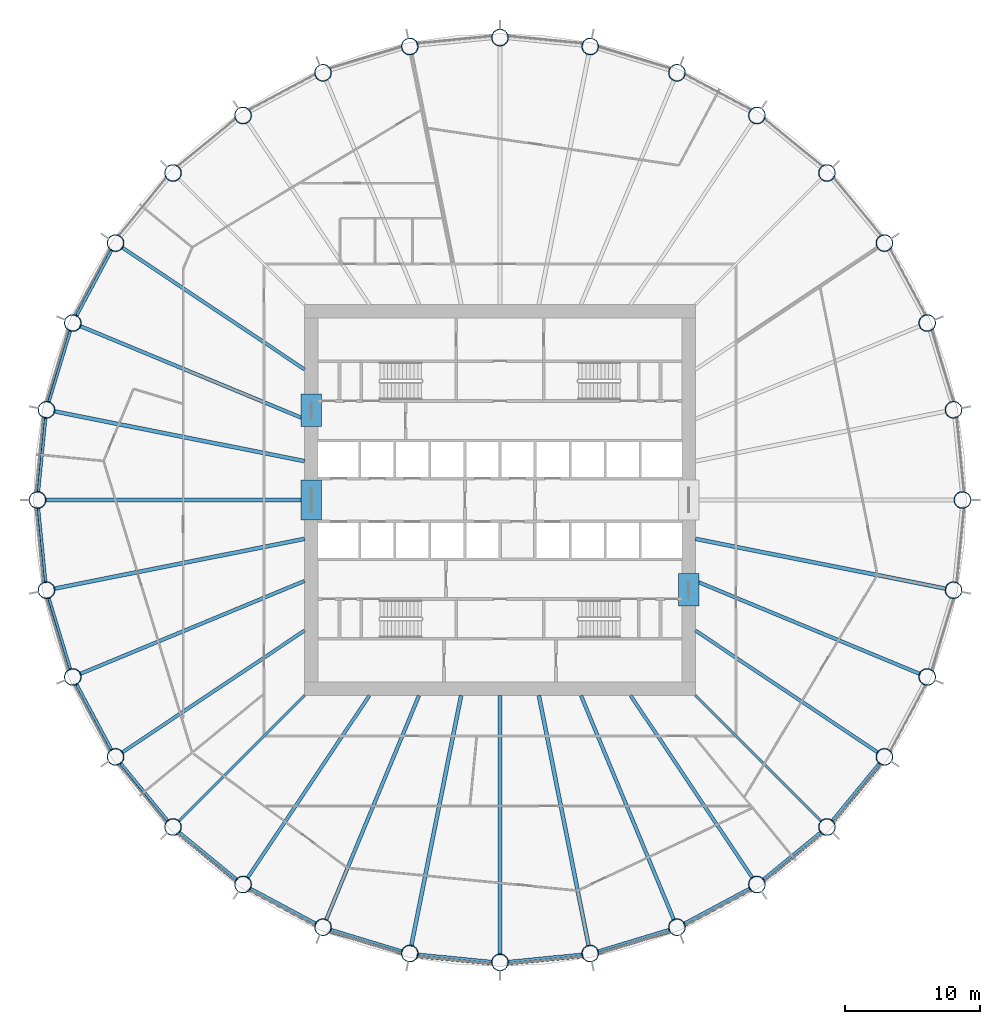
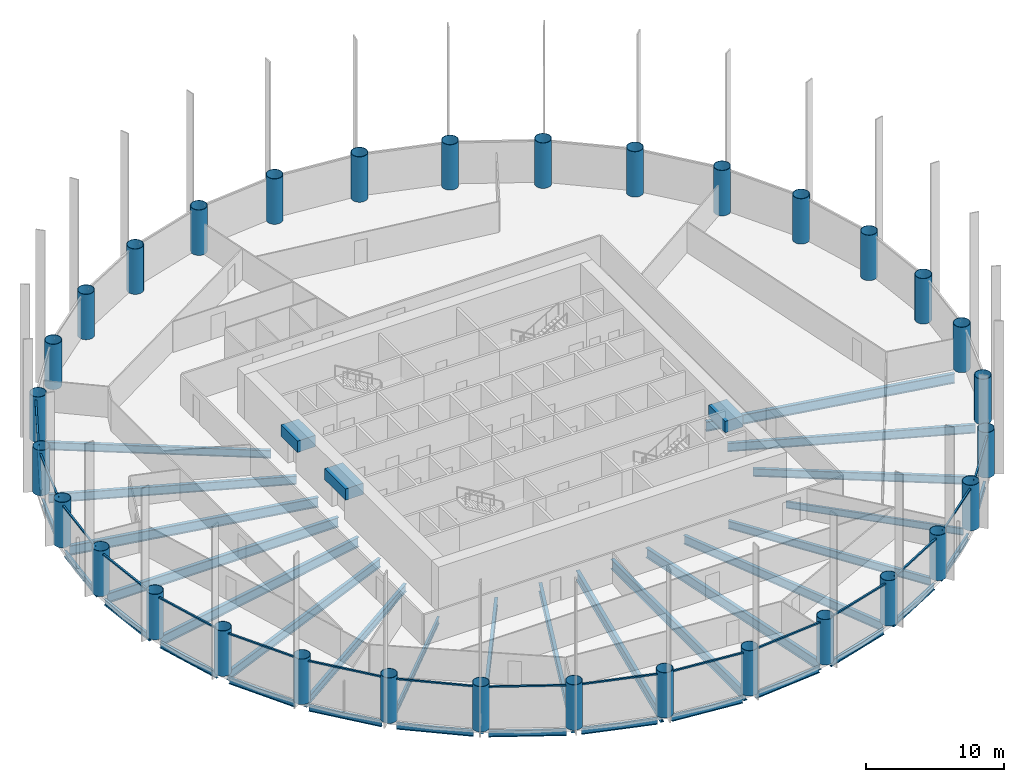
# One storey, part 1 of 10: 38 beams, 32 columns, 16 members, 16 elements without a shape of their own.
"""IFC4 building model written with IfcOpenShell, lengths in metres."""

from ifc_helpers import new_model, si_unit, direction, frame, origin, origin_2d, place, context, subcontext, project, spatial, rectangle, hollow_circle, i_section, extrude, material, material_profile, profile_set, type_object, element, aggregate, save


model = new_model("IFC4")

# Units and contexts
model_context = context("Model", 3, precision=1e-05, world=origin(), true_north=direction((0.0, 1.0)))
body_context = subcontext(model_context, "Body", "Model", "MODEL_VIEW")
ifc_project = project(units=[si_unit("LENGTHUNIT", "METRE"), si_unit("AREAUNIT", "SQUARE_METRE"), si_unit("VOLUMEUNIT", "CUBIC_METRE"), si_unit("PLANEANGLEUNIT", "RADIAN"), si_unit("MASSUNIT", "GRAM", prefix="KILO")], contexts=[model_context])

# Site, building, storey
site_placement = place(None, origin())
site = spatial("IfcSite", under=ifc_project, at=site_placement, CompositionType="ELEMENT")
building_placement = place(site_placement, origin())
building = spatial("IfcBuilding", under=site, at=building_placement, Name="Corvane Civic Tower", CompositionType="ELEMENT")
storey_placement = place(building_placement, frame((0.0, 0.0, 130.5)))
storey = spatial("IfcBuildingStorey", under=building, at=storey_placement, Name="L30", CompositionType="ELEMENT", Elevation=130.5)

# Columns
ifc_material_1 = material(Name="Steel ASTM A572 Gr 50", Category="steel")
ifc_material_profile_1 = material_profile(ifc_material_1, hollow_circle(Radius=0.625, WallThickness=0.035888671875, at=origin_2d()), Name="CHS1250X36")
ifc_profile_set_1 = profile_set([ifc_material_profile_1], Name="Steel ASTM A572 Gr 50")
column_type = type_object("IfcColumnType", Name="COMPOSITE COLUMN CHS1250X36", PredefinedType="COLUMN", material=ifc_profile_set_1)
for number, where, z_axis, x_axis, name in (
    (1, (0.0, 34.300048828125, 0.0), (0.0, 0.0, 1.0), (1.0, 0.0, 0.0), "COL-L30-B01"),
    (2, (6.691650390625, 33.640869140625, 0.0), (0.0, 0.0, 1.0), (1.0, 0.0, 0.0), "COL-L30-B02"),
    (3, (13.1259765625, 31.68896484375, 0.0), (0.0, 0.0, 1.0), (1.0, 0.0, 0.0), "COL-L30-B03"),
    (4, (19.05615234375, 28.519287109375, 0.0), (0.0, 0.0, 1.0), (1.0, 0.0, 0.0), "COL-L30-B04"),
    (5, (24.253662109375, 24.253662109375, 0.0), (0.0, 0.0, 1.0), (1.0, 0.0, 0.0), "COL-L30-B05"),
    (6, (28.519287109375, 19.05615234375, 0.0), (0.0, 0.0, 1.0), (1.0, 0.0, 0.0), "COL-L30-B06"),
    (7, (31.68896484375, 13.1259765625, 0.0), (0.0, 0.0, 1.0), (1.0, 0.0, 0.0), "COL-L30-B07"),
    (8, (33.640869140625, 6.691650390625, 0.0), (0.0, 0.0, 1.0), (1.0, 0.0, 0.0), "COL-L30-B08"),
    (9, (34.300048828125, 0.0, 0.0), (0.0, 0.0, 1.0), (1.0, 0.0, 0.0), "COL-L30-B09"),
    (10, (33.640869140625, -6.691650390625, 0.0), (0.0, 0.0, 1.0), (1.0, 0.0, 0.0), "COL-L30-B10"),
    (11, (31.68896484375, -13.1259765625, 0.0), (0.0, 0.0, 1.0), (1.0, 0.0, 0.0), "COL-L30-B11"),
    (12, (28.519287109375, -19.05615234375, 0.0), (0.0, 0.0, 1.0), (1.0, 0.0, 0.0), "COL-L30-B12"),
    (13, (24.253662109375, -24.253662109375, 0.0), (0.0, 0.0, 1.0), (1.0, 0.0, 0.0), "COL-L30-B13"),
    (14, (19.05615234375, -28.519287109375, 0.0), (0.0, 0.0, 1.0), (1.0, 0.0, 0.0), "COL-L30-B14"),
    (15, (13.1259765625, -31.68896484375, 0.0), (0.0, 0.0, 1.0), (1.0, 0.0, 0.0), "COL-L30-B15"),
    (16, (6.691650390625, -33.640869140625, 0.0), (0.0, 0.0, 1.0), (1.0, 0.0, 0.0), "COL-L30-B16"),
    (17, (0.0, -34.300048828125, 0.0), (0.0, 0.0, 1.0), (1.0, 0.0, 0.0), "COL-L30-B17"),
    (18, (-6.691650390625, -33.640869140625, 0.0), (0.0, 0.0, 1.0), (1.0, 0.0, 0.0), "COL-L30-B18"),
    (19, (-13.1259765625, -31.68896484375, 0.0), (0.0, 0.0, 1.0), (1.0, 0.0, 0.0), "COL-L30-B19"),
    (20, (-19.05615234375, -28.519287109375, 0.0), (0.0, 0.0, 1.0), (1.0, 0.0, 0.0), "COL-L30-B20"),
    (21, (-24.253662109375, -24.253662109375, 0.0), (0.0, 0.0, 1.0), (1.0, 0.0, 0.0), "COL-L30-B21"),
    (22, (-28.519287109375, -19.05615234375, 0.0), (0.0, 0.0, 1.0), (1.0, 0.0, 0.0), "COL-L30-B22"),
    (23, (-31.68896484375, -13.1259765625, 0.0), (0.0, 0.0, 1.0), (1.0, 0.0, 0.0), "COL-L30-B23"),
    (24, (-33.640869140625, -6.691650390625, 0.0), (0.0, 0.0, 1.0), (1.0, 0.0, 0.0), "COL-L30-B24"),
    (25, (-34.300048828125, 0.0, 0.0), (0.0, 0.0, 1.0), (1.0, 0.0, 0.0), "COL-L30-B25"),
    (26, (-33.640869140625, 6.691650390625, 0.0), (0.0, 0.0, 1.0), (1.0, 0.0, 0.0), "COL-L30-B26"),
    (27, (-31.68896484375, 13.1259765625, 0.0), (0.0, 0.0, 1.0), (1.0, 0.0, 0.0), "COL-L30-B27"),
    (28, (-28.519287109375, 19.05615234375, 0.0), (0.0, 0.0, 1.0), (1.0, 0.0, 0.0), "COL-L30-B28"),
    (29, (-24.253662109375, 24.253662109375, 0.0), (0.0, 0.0, 1.0), (1.0, 0.0, 0.0), "COL-L30-B29"),
    (30, (-19.05615234375, 28.519287109375, 0.0), (0.0, 0.0, 1.0), (1.0, 0.0, 0.0), "COL-L30-B30"),
    (31, (-13.1259765625, 31.68896484375, 0.0), (0.0, 0.0, 1.0), (1.0, 0.0, 0.0), "COL-L30-B31"),
    (32, (-6.691650390625, 33.640869140625, 0.0), (0.0, 0.0, 1.0), (1.0, 0.0, 0.0), "COL-L30-B32"),
):
    element("IfcColumn", number, at=place(storey_placement, frame(where, z_axis=z_axis, x_axis=x_axis)), inside=storey, type_object=column_type, Name=name, PredefinedType="COLUMN", context=body_context, shape_type="SweptSolid", body=[
        extrude(hollow_circle(Radius=0.625, WallThickness=0.035888671875, at=origin_2d()), origin(), (0.0, 0.0, 1.0), 4.0),
    ])

# Beams
ifc_material_2 = material(Name="Concrete C70/85", Category="concrete")
ifc_material_profile_2 = material_profile(ifc_material_2, rectangle(XDim=1.5, YDim=1.0, at=origin_2d()), Name="COUPLING BEAM 1500X1000")
ifc_profile_set_2 = profile_set([ifc_material_profile_2], Name="Concrete C70/85")
beam_type_1 = type_object("IfcBeamType", Name="COUPLING BEAM COUPLING BEAM 1500X1000", PredefinedType="BEAM", material=ifc_profile_set_2)
beam_1_placement = place(storey_placement, frame((-14.0, -1.5, 2.60009765625), z_axis=(0.0, 1.0, 0.0), x_axis=(-1.0, 0.0, 0.0)))
element("IfcBeam", 33, at=beam_1_placement, inside=storey, type_object=beam_type_1, Name="BM-L30-cpl-CW-LW", PredefinedType="BEAM", context=body_context, shape_type="SweptSolid", body=[
    extrude(rectangle(XDim=1.5, YDim=1.0, at=origin_2d()), origin(), (0.0, 0.0, 1.0), 3.0),
])
for number, where, z_axis, x_axis, name in (
    (34, (-14.0, 5.449951171875, 2.60009765625), (0.0, 1.0, 0.0), (-1.0, 0.0, 0.0), "BM-L30-cpl-CW-WN"),
    (35, (14.0, -7.85009765625, 2.60009765625), (0.0, 1.0, 0.0), (-1.0, 0.0, 0.0), "BM-L30-cpl-CW-ES"),
):
    element("IfcBeam", number, at=place(storey_placement, frame(where, z_axis=z_axis, x_axis=x_axis)), inside=storey, type_object=beam_type_1, Name=name, PredefinedType="BEAM", context=body_context, shape_type="SweptSolid", body=[
        extrude(rectangle(XDim=1.5, YDim=1.0, at=origin_2d()), origin(), (0.0, 0.0, 1.0), 2.400146484375),
    ])
ifc_material_3 = material(Name="Steel ASTM A992 Gr 50", Category="steel")
ifc_material_profile_3 = material_profile(ifc_material_3, i_section(OverallWidth=0.209228515625, OverallDepth=0.533447265625, WebThickness=0.01025390625, FlangeThickness=0.015625, at=origin_2d()), Name="W21X62")
ifc_profile_set_3 = profile_set([ifc_material_profile_3], Name="Steel ASTM A992 Gr 50")
beam_type_2 = type_object("IfcBeamType", Name="EDGE BEAM W21X62", PredefinedType="BEAM", material=ifc_profile_set_3)
for number, where, z_axis, x_axis, name in (
    (36, (28.17041015625, -19.481201171875, -0.566650390625), (-0.634397765782, -0.773006775372, 0.0), (0.773006775372, -0.634397765782, 0.0), "BM-L30-E12"),
    (37, (23.82861328125, -24.6025390625, -0.566650390625), (-0.773006775372, -0.634397765782, 0.0), (0.634397765782, -0.773006775372, 0.0), "BM-L30-E13"),
    (38, (18.571044921875, -28.778564453125, -0.566650390625), (-0.88192357867, -0.471392407008, 0.0), (0.471392407008, -0.88192357867, 0.0), "BM-L30-E14"),
):
    element("IfcBeam", number, at=place(storey_placement, frame(where, z_axis=z_axis, x_axis=x_axis)), inside=storey, type_object=beam_type_2, Name=name, PredefinedType="BEAM", context=body_context, shape_type="SweptSolid", body=[
        extrude(i_section(OverallWidth=0.209228515625, OverallDepth=0.533447265625, WebThickness=0.01025390625, FlangeThickness=0.015625, at=origin_2d()), origin(), (0.0, 0.0, 1.0), 5.6240234375),
    ])
beam_2_placement = place(storey_placement, frame((12.599609375, -31.8486328125, -0.566650390625), z_axis=(-0.956936367498, -0.290297758448, 0.0), x_axis=(0.290297758448, -0.956936367498, 0.0)))
element("IfcBeam", 39, at=beam_2_placement, inside=storey, type_object=beam_type_2, Name="BM-L30-E15", PredefinedType="BEAM", context=body_context, shape_type="SweptSolid", body=[
    extrude(i_section(OverallWidth=0.209228515625, OverallDepth=0.533447265625, WebThickness=0.01025390625, FlangeThickness=0.015625, at=origin_2d()), origin(), (0.0, 0.0, 1.0), 5.623779296875),
])
for number, where, z_axis, x_axis, name in (
    (40, (6.144287109375, -33.69482421875, -0.566650390625), (-0.995184368522, -0.098020776625, 0.0), (0.098020776625, -0.995184368522, 0.0), "BM-L30-E16"),
    (41, (-0.54736328125, -34.24609375, -0.566650390625), (-0.995184368522, 0.098020776625, 0.0), (-0.098020776625, -0.995184368522, 0.0), "BM-L30-E17"),
):
    element("IfcBeam", number, at=place(storey_placement, frame(where, z_axis=z_axis, x_axis=x_axis)), inside=storey, type_object=beam_type_2, Name=name, PredefinedType="BEAM", context=body_context, shape_type="SweptSolid", body=[
        extrude(i_section(OverallWidth=0.209228515625, OverallDepth=0.533447265625, WebThickness=0.01025390625, FlangeThickness=0.015625, at=origin_2d()), origin(), (0.0, 0.0, 1.0), 5.6240234375),
    ])
beam_3_placement = place(storey_placement, frame((-7.218017578125, -33.481201171875, -0.566650390625), z_axis=(-0.956936367498, 0.290297758448, 0.0), x_axis=(-0.290297758448, -0.956936367498, 0.0)))
element("IfcBeam", 42, at=beam_3_placement, inside=storey, type_object=beam_type_2, Name="BM-L30-E18", PredefinedType="BEAM", context=body_context, shape_type="SweptSolid", body=[
    extrude(i_section(OverallWidth=0.209228515625, OverallDepth=0.533447265625, WebThickness=0.01025390625, FlangeThickness=0.015625, at=origin_2d()), origin(), (0.0, 0.0, 1.0), 5.623779296875),
])
for number, where, z_axis, x_axis, name in (
    (43, (-13.611083984375, -31.4296875, -0.566650390625), (-0.88192357867, 0.471392407008, 0.0), (-0.471392407008, -0.88192357867, 0.0), "BM-L30-E19"),
    (44, (-19.481201171875, -28.17041015625, -0.566650390625), (-0.773006775372, 0.634397765782, 0.0), (-0.634397765782, -0.773006775372, 0.0), "BM-L30-E20"),
    (45, (-24.6025390625, -23.82861328125, -0.566650390625), (-0.634397765782, 0.773006775372, 0.0), (-0.773006775372, -0.634397765782, 0.0), "BM-L30-E21"),
    (46, (-28.778564453125, -18.571044921875, -0.566650390625), (-0.471392407008, 0.88192357867, 0.0), (-0.88192357867, -0.471392407008, 0.0), "BM-L30-E22"),
):
    element("IfcBeam", number, at=place(storey_placement, frame(where, z_axis=z_axis, x_axis=x_axis)), inside=storey, type_object=beam_type_2, Name=name, PredefinedType="BEAM", context=body_context, shape_type="SweptSolid", body=[
        extrude(i_section(OverallWidth=0.209228515625, OverallDepth=0.533447265625, WebThickness=0.01025390625, FlangeThickness=0.015625, at=origin_2d()), origin(), (0.0, 0.0, 1.0), 5.6240234375),
    ])
beam_4_placement = place(storey_placement, frame((-31.8486328125, -12.599609375, -0.566650390625), z_axis=(-0.290297758448, 0.956936367498, 0.0), x_axis=(-0.956936367498, -0.290297758448, 0.0)))
element("IfcBeam", 47, at=beam_4_placement, inside=storey, type_object=beam_type_2, Name="BM-L30-E23", PredefinedType="BEAM", context=body_context, shape_type="SweptSolid", body=[
    extrude(i_section(OverallWidth=0.209228515625, OverallDepth=0.533447265625, WebThickness=0.01025390625, FlangeThickness=0.015625, at=origin_2d()), origin(), (0.0, 0.0, 1.0), 5.623779296875),
])
for number, where, z_axis, x_axis, name in (
    (48, (-33.69482421875, -6.144287109375, -0.566650390625), (-0.098020776625, 0.995184368522, 0.0), (-0.995184368522, -0.098020776625, 0.0), "BM-L30-E24"),
    (49, (-34.24609375, 0.54736328125, -0.566650390625), (0.098020776625, 0.995184368522, 0.0), (-0.995184368522, 0.098020776625, 0.0), "BM-L30-E25"),
):
    element("IfcBeam", number, at=place(storey_placement, frame(where, z_axis=z_axis, x_axis=x_axis)), inside=storey, type_object=beam_type_2, Name=name, PredefinedType="BEAM", context=body_context, shape_type="SweptSolid", body=[
        extrude(i_section(OverallWidth=0.209228515625, OverallDepth=0.533447265625, WebThickness=0.01025390625, FlangeThickness=0.015625, at=origin_2d()), origin(), (0.0, 0.0, 1.0), 5.6240234375),
    ])
beam_5_placement = place(storey_placement, frame((-33.481201171875, 7.218017578125, -0.566650390625), z_axis=(0.290297758448, 0.956936367498, 0.0), x_axis=(-0.956936367498, 0.290297758448, 0.0)))
element("IfcBeam", 50, at=beam_5_placement, inside=storey, type_object=beam_type_2, Name="BM-L30-E26", PredefinedType="BEAM", context=body_context, shape_type="SweptSolid", body=[
    extrude(i_section(OverallWidth=0.209228515625, OverallDepth=0.533447265625, WebThickness=0.01025390625, FlangeThickness=0.015625, at=origin_2d()), origin(), (0.0, 0.0, 1.0), 5.623779296875),
])
beam_6_placement = place(storey_placement, frame((-31.4296875, 13.611083984375, -0.566650390625), z_axis=(0.471392407008, 0.88192357867, 0.0), x_axis=(-0.88192357867, 0.471392407008, 0.0)))
element("IfcBeam", 51, at=beam_6_placement, inside=storey, type_object=beam_type_2, Name="BM-L30-E27", PredefinedType="BEAM", context=body_context, shape_type="SweptSolid", body=[
    extrude(i_section(OverallWidth=0.209228515625, OverallDepth=0.533447265625, WebThickness=0.01025390625, FlangeThickness=0.015625, at=origin_2d()), origin(), (0.0, 0.0, 1.0), 5.6240234375),
])
ifc_material_4 = material(Name="Steel ASTM A992 Gr 50", Category="steel")
ifc_material_profile_4 = material_profile(ifc_material_4, i_section(OverallWidth=0.177978515625, OverallDepth=0.599365234375, WebThickness=0.010009765625, FlangeThickness=0.012939453125, at=origin_2d()), Name="W24X55")
ifc_profile_set_4 = profile_set([ifc_material_profile_4], Name="Steel ASTM A992 Gr 50")
beam_type_3 = type_object("IfcBeamType", Name="FLOOR GIRDER W24X55", PredefinedType="BEAM", material=ifc_profile_set_4)
for number, where, z_axis, x_axis, name in (
    (52, (14.5, -14.5, -0.599609375), (0.707106781187, -0.707106781187, 0.0), (0.707106781187, 0.707106781187, 0.0), "BM-L30-G13"),
    (53, (-14.5, -14.5, -0.599609375), (-0.707106781187, -0.707106781187, 0.0), (0.707106781187, -0.707106781187, 0.0), "BM-L30-G21"),
):
    element("IfcBeam", number, at=place(storey_placement, frame(where, z_axis=z_axis, x_axis=x_axis)), inside=storey, type_object=beam_type_3, Name=name, PredefinedType="BEAM", context=body_context, shape_type="SweptSolid", body=[
        extrude(i_section(OverallWidth=0.177978515625, OverallDepth=0.599365234375, WebThickness=0.010009765625, FlangeThickness=0.012939453125, at=origin_2d()), origin(), (0.0, 0.0, 1.0), 13.24365234375),
    ])
ifc_material_5 = material(Name="Steel ASTM A992 Gr 50", Category="steel")
ifc_material_profile_5 = material_profile(ifc_material_5, i_section(OverallWidth=0.256591796875, OverallDepth=0.693359375, WebThickness=0.014404296875, FlangeThickness=0.023681640625, at=origin_2d()), Name="W27X114")
ifc_profile_set_5 = profile_set([ifc_material_profile_5], Name="Steel ASTM A992 Gr 50")
beam_type_4 = type_object("IfcBeamType", Name="FLOOR GIRDER W27X114", PredefinedType="BEAM", material=ifc_profile_set_5)
for number, where, z_axis, x_axis, name in (
    (54, (14.5, -9.6884765625, -0.646728515625), (0.83146493365, -0.555577235054, 0.0), (0.555577235054, 0.83146493365, 0.0), "BM-L30-G12"),
    (55, (9.6884765625, -14.5, -0.646728515625), (0.555577235054, -0.83146493365, 0.0), (0.83146493365, 0.555577235054, 0.0), "BM-L30-G14"),
    (56, (-9.6884765625, -14.5, -0.646728515625), (-0.555577235054, -0.83146493365, 0.0), (0.83146493365, -0.555577235054, 0.0), "BM-L30-G20"),
    (57, (-14.5, -9.6884765625, -0.646728515625), (-0.83146493365, -0.555577235054, 0.0), (0.555577235054, -0.83146493365, 0.0), "BM-L30-G22"),
    (58, (-14.5, 9.6884765625, -0.646728515625), (-0.83146493365, 0.555577235054, 0.0), (-0.555577235054, -0.83146493365, 0.0), "BM-L30-G28"),
):
    element("IfcBeam", number, at=place(storey_placement, frame(where, z_axis=z_axis, x_axis=x_axis)), inside=storey, type_object=beam_type_4, Name=name, PredefinedType="BEAM", context=body_context, shape_type="SweptSolid", body=[
        extrude(i_section(OverallWidth=0.256591796875, OverallDepth=0.693359375, WebThickness=0.014404296875, FlangeThickness=0.023681640625, at=origin_2d()), origin(), (0.0, 0.0, 1.0), 16.31103515625),
    ])
ifc_material_6 = material(Name="Steel ASTM A992 Gr 50", Category="steel")
ifc_material_profile_6 = material_profile(ifc_material_6, i_section(OverallWidth=0.2666015625, OverallDepth=0.7568359375, WebThickness=0.013916015625, FlangeThickness=0.019287109375, at=origin_2d()), Name="W30X108")
ifc_profile_set_6 = profile_set([ifc_material_profile_6], Name="Steel ASTM A992 Gr 50")
beam_type_5 = type_object("IfcBeamType", Name="FLOOR GIRDER W30X108", PredefinedType="BEAM", material=ifc_profile_set_6)
for number, where, z_axis, x_axis, name in (
    (59, (14.5, -6.006103515625, -0.678466796875), (0.923880209691, -0.382681797504, 0.0), (0.382681797504, 0.923880209691, 0.0), "BM-L30-G11"),
    (60, (6.006103515625, -14.5, -0.678466796875), (0.382681797504, -0.923880209691, 0.0), (0.923880209691, 0.382681797504, 0.0), "BM-L30-G15"),
    (61, (-6.006103515625, -14.5, -0.678466796875), (-0.382681797504, -0.923880209691, 0.0), (0.923880209691, -0.382681797504, 0.0), "BM-L30-G19"),
    (62, (-14.5, -6.006103515625, -0.678466796875), (-0.923880209691, -0.382681797504, 0.0), (0.382681797504, -0.923880209691, 0.0), "BM-L30-G23"),
    (63, (-14.5, 6.006103515625, -0.678466796875), (-0.923880209691, 0.382681797504, 0.0), (-0.382681797504, -0.923880209691, 0.0), "BM-L30-G27"),
):
    element("IfcBeam", number, at=place(storey_placement, frame(where, z_axis=z_axis, x_axis=x_axis)), inside=storey, type_object=beam_type_5, Name=name, PredefinedType="BEAM", context=body_context, shape_type="SweptSolid", body=[
        extrude(i_section(OverallWidth=0.2666015625, OverallDepth=0.7568359375, WebThickness=0.013916015625, FlangeThickness=0.019287109375, at=origin_2d()), origin(), (0.0, 0.0, 1.0), 18.05517578125),
    ])
ifc_material_7 = material(Name="Steel ASTM A992 Gr 50", Category="steel")
ifc_material_profile_7 = material_profile(ifc_material_7, i_section(OverallWidth=0.2919921875, OverallDepth=0.8583984375, WebThickness=0.01708984375, FlangeThickness=0.031005859375, at=origin_2d()), Name="W33X169")
ifc_profile_set_7 = profile_set([ifc_material_profile_7], Name="Steel ASTM A992 Gr 50")
beam_type_6 = type_object("IfcBeamType", Name="FLOOR GIRDER W33X169", PredefinedType="BEAM", material=ifc_profile_set_7)
for number, where, z_axis, x_axis, name in (
    (64, (14.5, -2.88427734375, -0.729248046875), (0.9807865885, -0.195083745652, 0.0), (0.195083745652, 0.9807865885, 0.0), "BM-L30-G10"),
    (65, (2.88427734375, -14.5, -0.729248046875), (0.195083745652, -0.9807865885, 0.0), (0.9807865885, 0.195083745652, 0.0), "BM-L30-G16"),
):
    element("IfcBeam", number, at=place(storey_placement, frame(where, z_axis=z_axis, x_axis=x_axis)), inside=storey, type_object=beam_type_6, Name=name, PredefinedType="BEAM", context=body_context, shape_type="SweptSolid", body=[
        extrude(i_section(OverallWidth=0.2919921875, OverallDepth=0.8583984375, WebThickness=0.01708984375, FlangeThickness=0.031005859375, at=origin_2d()), origin(), (0.0, 0.0, 1.0), 18.966064453125),
    ])
beam_7_placement = place(storey_placement, frame((0.0, -14.5, -0.729248046875), z_axis=(0.0, -1.0, 0.0), x_axis=(1.0, 0.0, 0.0)))
element("IfcBeam", 66, at=beam_7_placement, inside=storey, type_object=beam_type_6, Name="BM-L30-G17", PredefinedType="BEAM", context=body_context, shape_type="SweptSolid", body=[
    extrude(i_section(OverallWidth=0.2919921875, OverallDepth=0.8583984375, WebThickness=0.01708984375, FlangeThickness=0.031005859375, at=origin_2d()), origin(), (0.0, 0.0, 1.0), 19.25),
])
for number, where, z_axis, x_axis, name in (
    (67, (-2.88427734375, -14.5, -0.729248046875), (-0.195083745652, -0.9807865885, 0.0), (0.9807865885, -0.195083745652, 0.0), "BM-L30-G18"),
    (68, (-14.5, -2.88427734375, -0.729248046875), (-0.9807865885, -0.195083745652, 0.0), (0.195083745652, -0.9807865885, 0.0), "BM-L30-G24"),
):
    element("IfcBeam", number, at=place(storey_placement, frame(where, z_axis=z_axis, x_axis=x_axis)), inside=storey, type_object=beam_type_6, Name=name, PredefinedType="BEAM", context=body_context, shape_type="SweptSolid", body=[
        extrude(i_section(OverallWidth=0.2919921875, OverallDepth=0.8583984375, WebThickness=0.01708984375, FlangeThickness=0.031005859375, at=origin_2d()), origin(), (0.0, 0.0, 1.0), 18.966064453125),
    ])
beam_8_placement = place(storey_placement, frame((-14.5, 0.0, -0.729248046875), z_axis=(-1.0, 0.0, 0.0), x_axis=(0.0, -1.0, 0.0)))
element("IfcBeam", 69, at=beam_8_placement, inside=storey, type_object=beam_type_6, Name="BM-L30-G25", PredefinedType="BEAM", context=body_context, shape_type="SweptSolid", body=[
    extrude(i_section(OverallWidth=0.2919921875, OverallDepth=0.8583984375, WebThickness=0.01708984375, FlangeThickness=0.031005859375, at=origin_2d()), origin(), (0.0, 0.0, 1.0), 19.25),
])
beam_9_placement = place(storey_placement, frame((-14.5, 2.88427734375, -0.729248046875), z_axis=(-0.9807865885, 0.195083745652, 0.0), x_axis=(-0.195083745652, -0.9807865885, 0.0)))
element("IfcBeam", 70, at=beam_9_placement, inside=storey, type_object=beam_type_6, Name="BM-L30-G26", PredefinedType="BEAM", context=body_context, shape_type="SweptSolid", body=[
    extrude(i_section(OverallWidth=0.2919921875, OverallDepth=0.8583984375, WebThickness=0.01708984375, FlangeThickness=0.031005859375, at=origin_2d()), origin(), (0.0, 0.0, 1.0), 18.966064453125),
])

# Curtain wall, member
ifc_material_8 = material(Name="Anodised aluminium bronze", Category="aluminium")
curtain_wall_type = type_object("IfcCurtainWallType", Name="TOWER CW-T1 STICK CURTAIN WALL", PredefinedType="NOTDEFINED", material=ifc_material_8)
curtain_wall_1_placement = place(storey_placement, origin())
curtain_wall_1 = element("IfcCurtainWall", 71, at=curtain_wall_1_placement, inside=storey, type_object=curtain_wall_type, Name="Curtain wall CW-T1 L30 bay 12", PredefinedType="NOTDEFINED")
ifc_material_9 = material(Name="Anodised aluminium bronze", Category="aluminium")
ifc_material_profile_8 = material_profile(ifc_material_9, rectangle(XDim=0.139892578125, YDim=0.1201171875, at=origin_2d()), Name="TOWER CW-T1 TRANSOM 140x120")
ifc_profile_set_8 = profile_set([ifc_material_profile_8], Name="Anodised aluminium bronze")
member_type = type_object("IfcMemberType", Name="TOWER CW-T1 TRANSOM 140x120", PredefinedType="USERDEFINED", material=ifc_profile_set_8)
member_1_placement = place(storey_placement, frame((28.297119140625, -19.609619140625, 3.68994140625), z_axis=(-0.634410369295, -0.772996431642, 0.0), x_axis=(0.772996431642, -0.634410369295, 0.0)))
member_1 = element("IfcMember", 72, at=member_1_placement, type_object=member_type, Name="Transom CW-T1 L30 12.1", ObjectType="TRANSOM", PredefinedType="USERDEFINED", context=body_context, shape_type="SweptSolid", body=[
    extrude(rectangle(XDim=0.139892578125, YDim=0.1201171875, at=origin_2d()), origin(), (0.0, 0.0, 1.0), 5.586181640625),
])
aggregate(curtain_wall_1, [member_1])

curtain_wall_2_placement = place(storey_placement, origin())
curtain_wall_2 = element("IfcCurtainWall", 73, at=curtain_wall_2_placement, inside=storey, type_object=curtain_wall_type, Name="Curtain wall CW-T1 L30 bay 13", PredefinedType="NOTDEFINED")
member_2_placement = place(storey_placement, frame((23.927734375, -24.753173828125, 3.68994140625), z_axis=(-0.772996431642, -0.634410369295, 0.0), x_axis=(0.634410369295, -0.772996431642, 0.0)))
member_2 = element("IfcMember", 74, at=member_2_placement, type_object=member_type, Name="Transom CW-T1 L30 13.1", ObjectType="TRANSOM", PredefinedType="USERDEFINED", context=body_context, shape_type="SweptSolid", body=[
    extrude(rectangle(XDim=0.139892578125, YDim=0.1201171875, at=origin_2d()), origin(), (0.0, 0.0, 1.0), 5.586181640625),
])
aggregate(curtain_wall_2, [member_2])

curtain_wall_3_placement = place(storey_placement, origin())
curtain_wall_3 = element("IfcCurtainWall", 75, at=curtain_wall_3_placement, inside=storey, type_object=curtain_wall_type, Name="Curtain wall CW-T1 L30 bay 14", PredefinedType="NOTDEFINED")
member_3_placement = place(storey_placement, frame((18.63916015625, -28.945556640625, 3.68994140625), z_axis=(-0.881920705407, -0.47139778253, 0.0), x_axis=(0.47139778253, -0.881920705407, 0.0)))
member_3 = element("IfcMember", 76, at=member_3_placement, type_object=member_type, Name="Transom CW-T1 L30 14.1", ObjectType="TRANSOM", PredefinedType="USERDEFINED", context=body_context, shape_type="SweptSolid", body=[
    extrude(rectangle(XDim=0.139892578125, YDim=0.1201171875, at=origin_2d()), origin(), (0.0, 0.0, 1.0), 5.586669921875),
])
aggregate(curtain_wall_3, [member_3])

curtain_wall_4_placement = place(storey_placement, origin())
curtain_wall_4 = element("IfcCurtainWall", 77, at=curtain_wall_4_placement, inside=storey, type_object=curtain_wall_type, Name="Curtain wall CW-T1 L30 bay 15", PredefinedType="NOTDEFINED")
member_4_placement = place(storey_placement, frame((12.6337890625, -32.025634765625, 3.68994140625), z_axis=(-0.956944977029, -0.290269376509, 0.0), x_axis=(0.290269376509, -0.956944977029, 0.0)))
member_4 = element("IfcMember", 78, at=member_4_placement, type_object=member_type, Name="Transom CW-T1 L30 15.1", ObjectType="TRANSOM", PredefinedType="USERDEFINED", context=body_context, shape_type="SweptSolid", body=[
    extrude(rectangle(XDim=0.139892578125, YDim=0.1201171875, at=origin_2d()), origin(), (0.0, 0.0, 1.0), 5.58642578125),
])
aggregate(curtain_wall_4, [member_4])

curtain_wall_5_placement = place(storey_placement, origin())
curtain_wall_5 = element("IfcCurtainWall", 79, at=curtain_wall_5_placement, inside=storey, type_object=curtain_wall_type, Name="Curtain wall CW-T1 L30 bay 16", PredefinedType="NOTDEFINED")
member_5_placement = place(storey_placement, frame((6.14306640625, -33.874755859375, 3.68994140625), z_axis=(-0.995179807033, -0.098067077419, 0.0), x_axis=(0.098067077419, -0.995179807033, 0.0)))
member_5 = element("IfcMember", 80, at=member_5_placement, type_object=member_type, Name="Transom CW-T1 L30 16.1", ObjectType="TRANSOM", PredefinedType="USERDEFINED", context=body_context, shape_type="SweptSolid", body=[
    extrude(rectangle(XDim=0.139892578125, YDim=0.1201171875, at=origin_2d()), origin(), (0.0, 0.0, 1.0), 5.58642578125),
])
aggregate(curtain_wall_5, [member_5])

curtain_wall_6_placement = place(storey_placement, origin())
curtain_wall_6 = element("IfcCurtainWall", 81, at=curtain_wall_6_placement, inside=storey, type_object=curtain_wall_type, Name="Curtain wall CW-T1 L30 bay 17", PredefinedType="NOTDEFINED")
member_6_placement = place(storey_placement, frame((-0.58349609375, -34.422607421875, 3.68994140625), z_axis=(-0.995179807033, 0.098067077419, 0.0), x_axis=(-0.098067077419, -0.995179807033, 0.0)))
member_6 = element("IfcMember", 82, at=member_6_placement, type_object=member_type, Name="Transom CW-T1 L30 17.1", ObjectType="TRANSOM", PredefinedType="USERDEFINED", context=body_context, shape_type="SweptSolid", body=[
    extrude(rectangle(XDim=0.139892578125, YDim=0.1201171875, at=origin_2d()), origin(), (0.0, 0.0, 1.0), 5.58642578125),
])
aggregate(curtain_wall_6, [member_6])

curtain_wall_7_placement = place(storey_placement, origin())
curtain_wall_7 = element("IfcCurtainWall", 83, at=curtain_wall_7_placement, inside=storey, type_object=curtain_wall_type, Name="Curtain wall CW-T1 L30 bay 18", PredefinedType="NOTDEFINED")
member_7_placement = place(storey_placement, frame((-7.287841796875, -33.647216796875, 3.68994140625), z_axis=(-0.956944977029, 0.290269376509, 0.0), x_axis=(-0.290269376509, -0.956944977029, 0.0)))
member_7 = element("IfcMember", 84, at=member_7_placement, type_object=member_type, Name="Transom CW-T1 L30 18.1", ObjectType="TRANSOM", PredefinedType="USERDEFINED", context=body_context, shape_type="SweptSolid", body=[
    extrude(rectangle(XDim=0.139892578125, YDim=0.1201171875, at=origin_2d()), origin(), (0.0, 0.0, 1.0), 5.58642578125),
])
aggregate(curtain_wall_7, [member_7])

curtain_wall_8_placement = place(storey_placement, origin())
curtain_wall_8 = element("IfcCurtainWall", 85, at=curtain_wall_8_placement, inside=storey, type_object=curtain_wall_type, Name="Curtain wall CW-T1 L30 bay 19", PredefinedType="NOTDEFINED")
member_8_placement = place(storey_placement, frame((-13.712158203125, -31.5791015625, 3.68994140625), z_axis=(-0.881920705407, 0.47139778253, 0.0), x_axis=(-0.47139778253, -0.881920705407, 0.0)))
member_8 = element("IfcMember", 86, at=member_8_placement, type_object=member_type, Name="Transom CW-T1 L30 19.1", ObjectType="TRANSOM", PredefinedType="USERDEFINED", context=body_context, shape_type="SweptSolid", body=[
    extrude(rectangle(XDim=0.139892578125, YDim=0.1201171875, at=origin_2d()), origin(), (0.0, 0.0, 1.0), 5.586669921875),
])
aggregate(curtain_wall_8, [member_8])

curtain_wall_9_placement = place(storey_placement, origin())
curtain_wall_9 = element("IfcCurtainWall", 87, at=curtain_wall_9_placement, inside=storey, type_object=curtain_wall_type, Name="Curtain wall CW-T1 L30 bay 20", PredefinedType="NOTDEFINED")
member_9_placement = place(storey_placement, frame((-19.609619140625, -28.297119140625, 3.68994140625), z_axis=(-0.772996431642, 0.634410369295, 0.0), x_axis=(-0.634410369295, -0.772996431642, 0.0)))
member_9 = element("IfcMember", 88, at=member_9_placement, type_object=member_type, Name="Transom CW-T1 L30 20.1", ObjectType="TRANSOM", PredefinedType="USERDEFINED", context=body_context, shape_type="SweptSolid", body=[
    extrude(rectangle(XDim=0.139892578125, YDim=0.1201171875, at=origin_2d()), origin(), (0.0, 0.0, 1.0), 5.586181640625),
])
aggregate(curtain_wall_9, [member_9])

curtain_wall_10_placement = place(storey_placement, origin())
curtain_wall_10 = element("IfcCurtainWall", 89, at=curtain_wall_10_placement, inside=storey, type_object=curtain_wall_type, Name="Curtain wall CW-T1 L30 bay 21", PredefinedType="NOTDEFINED")
member_10_placement = place(storey_placement, frame((-24.753173828125, -23.927734375, 3.68994140625), z_axis=(-0.634410369295, 0.772996431642, 0.0), x_axis=(-0.772996431642, -0.634410369295, 0.0)))
member_10 = element("IfcMember", 90, at=member_10_placement, type_object=member_type, Name="Transom CW-T1 L30 21.1", ObjectType="TRANSOM", PredefinedType="USERDEFINED", context=body_context, shape_type="SweptSolid", body=[
    extrude(rectangle(XDim=0.139892578125, YDim=0.1201171875, at=origin_2d()), origin(), (0.0, 0.0, 1.0), 5.586181640625),
])
aggregate(curtain_wall_10, [member_10])

curtain_wall_11_placement = place(storey_placement, origin())
curtain_wall_11 = element("IfcCurtainWall", 91, at=curtain_wall_11_placement, inside=storey, type_object=curtain_wall_type, Name="Curtain wall CW-T1 L30 bay 22", PredefinedType="NOTDEFINED")
member_11_placement = place(storey_placement, frame((-28.945556640625, -18.63916015625, 3.68994140625), z_axis=(-0.47139778253, 0.881920705407, 0.0), x_axis=(-0.881920705407, -0.47139778253, 0.0)))
member_11 = element("IfcMember", 92, at=member_11_placement, type_object=member_type, Name="Transom CW-T1 L30 22.1", ObjectType="TRANSOM", PredefinedType="USERDEFINED", context=body_context, shape_type="SweptSolid", body=[
    extrude(rectangle(XDim=0.139892578125, YDim=0.1201171875, at=origin_2d()), origin(), (0.0, 0.0, 1.0), 5.586669921875),
])
aggregate(curtain_wall_11, [member_11])

curtain_wall_12_placement = place(storey_placement, origin())
curtain_wall_12 = element("IfcCurtainWall", 93, at=curtain_wall_12_placement, inside=storey, type_object=curtain_wall_type, Name="Curtain wall CW-T1 L30 bay 23", PredefinedType="NOTDEFINED")
member_12_placement = place(storey_placement, frame((-32.025634765625, -12.6337890625, 3.68994140625), z_axis=(-0.290269376509, 0.956944977029, 0.0), x_axis=(-0.956944977029, -0.290269376509, 0.0)))
member_12 = element("IfcMember", 94, at=member_12_placement, type_object=member_type, Name="Transom CW-T1 L30 23.1", ObjectType="TRANSOM", PredefinedType="USERDEFINED", context=body_context, shape_type="SweptSolid", body=[
    extrude(rectangle(XDim=0.139892578125, YDim=0.1201171875, at=origin_2d()), origin(), (0.0, 0.0, 1.0), 5.58642578125),
])
aggregate(curtain_wall_12, [member_12])

curtain_wall_13_placement = place(storey_placement, origin())
curtain_wall_13 = element("IfcCurtainWall", 95, at=curtain_wall_13_placement, inside=storey, type_object=curtain_wall_type, Name="Curtain wall CW-T1 L30 bay 24", PredefinedType="NOTDEFINED")
member_13_placement = place(storey_placement, frame((-33.874755859375, -6.14306640625, 3.68994140625), z_axis=(-0.098067077419, 0.995179807033, 0.0), x_axis=(-0.995179807033, -0.098067077419, 0.0)))
member_13 = element("IfcMember", 96, at=member_13_placement, type_object=member_type, Name="Transom CW-T1 L30 24.1", ObjectType="TRANSOM", PredefinedType="USERDEFINED", context=body_context, shape_type="SweptSolid", body=[
    extrude(rectangle(XDim=0.139892578125, YDim=0.1201171875, at=origin_2d()), origin(), (0.0, 0.0, 1.0), 5.58642578125),
])
aggregate(curtain_wall_13, [member_13])

curtain_wall_14_placement = place(storey_placement, origin())
curtain_wall_14 = element("IfcCurtainWall", 97, at=curtain_wall_14_placement, inside=storey, type_object=curtain_wall_type, Name="Curtain wall CW-T1 L30 bay 25", PredefinedType="NOTDEFINED")
member_14_placement = place(storey_placement, frame((-34.422607421875, 0.58349609375, 3.68994140625), z_axis=(0.098067077419, 0.995179807033, 0.0), x_axis=(-0.995179807033, 0.098067077419, 0.0)))
member_14 = element("IfcMember", 98, at=member_14_placement, type_object=member_type, Name="Transom CW-T1 L30 25.1", ObjectType="TRANSOM", PredefinedType="USERDEFINED", context=body_context, shape_type="SweptSolid", body=[
    extrude(rectangle(XDim=0.139892578125, YDim=0.1201171875, at=origin_2d()), origin(), (0.0, 0.0, 1.0), 5.58642578125),
])
aggregate(curtain_wall_14, [member_14])

curtain_wall_15_placement = place(storey_placement, origin())
curtain_wall_15 = element("IfcCurtainWall", 99, at=curtain_wall_15_placement, inside=storey, type_object=curtain_wall_type, Name="Curtain wall CW-T1 L30 bay 26", PredefinedType="NOTDEFINED")
member_15_placement = place(storey_placement, frame((-33.647216796875, 7.287841796875, 3.68994140625), z_axis=(0.290269376509, 0.956944977029, 0.0), x_axis=(-0.956944977029, 0.290269376509, 0.0)))
member_15 = element("IfcMember", 100, at=member_15_placement, type_object=member_type, Name="Transom CW-T1 L30 26.1", ObjectType="TRANSOM", PredefinedType="USERDEFINED", context=body_context, shape_type="SweptSolid", body=[
    extrude(rectangle(XDim=0.139892578125, YDim=0.1201171875, at=origin_2d()), origin(), (0.0, 0.0, 1.0), 5.58642578125),
])
aggregate(curtain_wall_15, [member_15])

curtain_wall_16_placement = place(storey_placement, origin())
curtain_wall_16 = element("IfcCurtainWall", 101, at=curtain_wall_16_placement, inside=storey, type_object=curtain_wall_type, Name="Curtain wall CW-T1 L30 bay 27", PredefinedType="NOTDEFINED")
member_16_placement = place(storey_placement, frame((-31.5791015625, 13.712158203125, 3.68994140625), z_axis=(0.47139778253, 0.881920705407, 0.0), x_axis=(-0.881920705407, 0.47139778253, 0.0)))
member_16 = element("IfcMember", 102, at=member_16_placement, type_object=member_type, Name="Transom CW-T1 L30 27.1", ObjectType="TRANSOM", PredefinedType="USERDEFINED", context=body_context, shape_type="SweptSolid", body=[
    extrude(rectangle(XDim=0.139892578125, YDim=0.1201171875, at=origin_2d()), origin(), (0.0, 0.0, 1.0), 5.586669921875),
])
aggregate(curtain_wall_16, [member_16])

save(model, "model.ifc")
